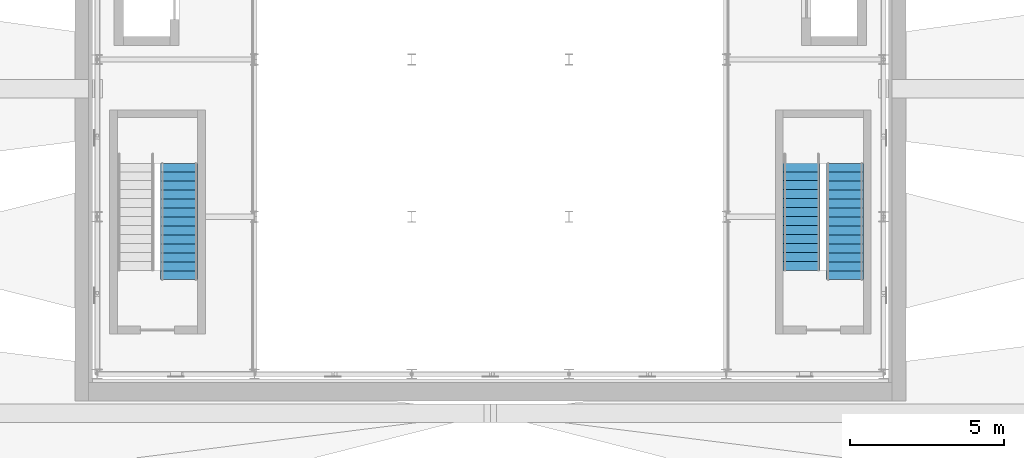
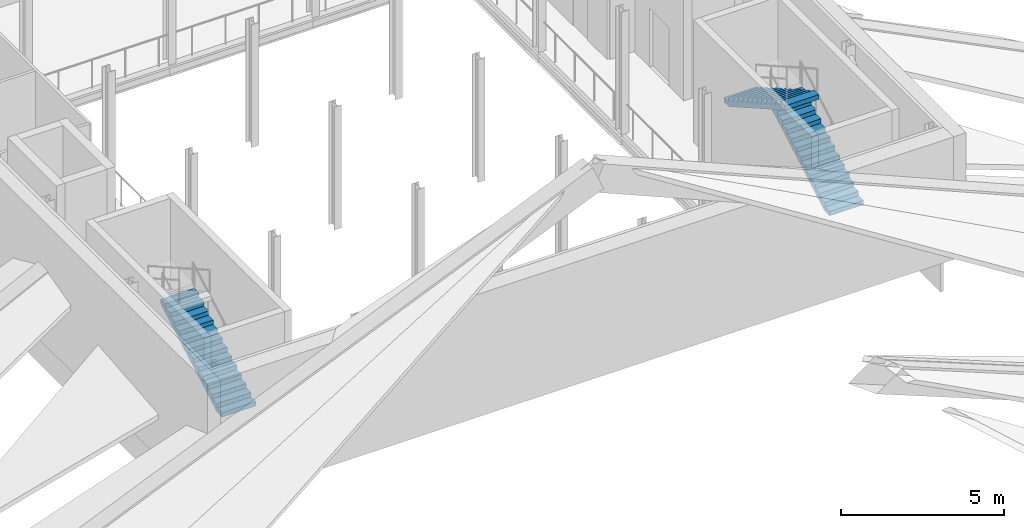
# One storey, part 6 of 7: 3 stair flights, 2 elements without a shape of their own.
"""IFC4 building model written with IfcOpenShell, lengths in metres."""

from ifc_helpers import new_model, si_unit, direction, frame, origin, place, context, subcontext, project, spatial, polyline, outline, extrude, material, type_object, element, aggregate, save


model = new_model("IFC4")

# Units and contexts
model_context = context("Model", 3, precision=1e-05, world=origin(), true_north=direction((0.0, 1.0)))
body_context = subcontext(model_context, "Body", "Model", "MODEL_VIEW")
ifc_project = project(units=[si_unit("LENGTHUNIT", "METRE"), si_unit("AREAUNIT", "SQUARE_METRE"), si_unit("VOLUMEUNIT", "CUBIC_METRE"), si_unit("PLANEANGLEUNIT", "RADIAN"), si_unit("MASSUNIT", "GRAM", prefix="KILO")], contexts=[model_context])

# Site, building, storey
site_placement = place(None, origin())
site = spatial("IfcSite", under=ifc_project, at=site_placement, CompositionType="ELEMENT")
building_placement = place(site_placement, origin())
building = spatial("IfcBuilding", under=site, at=building_placement, Name="Tide Square Theatres", CompositionType="ELEMENT")
storey_placement = place(building_placement, frame((0.0, 0.0, 19.39990234375)))
storey = spatial("IfcBuildingStorey", under=building, at=storey_placement, Name="L04", CompositionType="ELEMENT", Elevation=19.39990234375)

# Stair, stair flight
ifc_material_1 = material(Name="Concrete C35", Category="concrete")
stair_type = type_object("IfcStairType", Name="Stair half turn 1200 wide, 28 risers, rise 4600", PredefinedType="HALF_TURN_STAIR", material=ifc_material_1)
stair_1_placement = place(storey_placement, origin())
stair_1 = element("IfcStair", 1, at=stair_1_placement, inside=storey, type_object=stair_type, Name="Fly Tower west stair", PredefinedType="HALF_TURN_STAIR")
ifc_material_2 = material(Name="Concrete C35", Category="concrete")
stair_flight_type = type_object("IfcStairFlightType", Name="Flight 1200 wide 14 risers rise 4600", PredefinedType="STRAIGHT", material=ifc_material_2)
stair_flight_1_placement = place(storey_placement, frame((73.926025390625, 59.325927734375, 0.0), z_axis=(0.0, 0.0, 1.0), x_axis=(0.0, 1.0, 0.0)))
stair_flight_1 = element("IfcStairFlight", 2, at=stair_flight_1_placement, type_object=stair_flight_type, Name="ST-1200-4600 flight 1", NumberOfRisers=14, NumberOfTreads=13, PredefinedType="STRAIGHT", RiserHeight=0.164285714, TreadLength=0.29, context=body_context, shape_type="SweptSolid", body=[
    extrude(outline(polyline([(0.0, 0.0), (0.0, 0.164306640625), (0.2900390625, 0.164306640625), (0.2900390625, 0.32861328125), (0.580078125, 0.32861328125), (0.580078125, 0.492919921875), (0.8701171875, 0.492919921875), (0.8701171875, 0.6572265625), (1.159912109375, 0.6572265625), (1.159912109375, 0.821533203125), (1.449951171875, 0.821533203125), (1.449951171875, 0.985595703125), (1.739990234375, 0.985595703125), (1.739990234375, 1.14990234375), (2.030029296875, 1.14990234375), (2.030029296875, 1.314208984375), (2.320068359375, 1.314208984375), (2.320068359375, 1.478515625), (2.610107421875, 1.478515625), (2.610107421875, 1.642822265625), (2.89990234375, 1.642822265625), (2.89990234375, 1.80712890625), (3.18994140625, 1.80712890625), (3.18994140625, 1.971435546875), (3.47998046875, 1.971435546875), (3.47998046875, 2.1357421875), (3.77001953125, 2.1357421875), (3.77001953125, 2.300048828125), (3.77001953125, 1.96337890625), (0.30419921875, 0.0), (0.0, 0.0)])), frame((0.0, 0.60009765625, 0.0), z_axis=(0.0, -1.0, 0.0), x_axis=(1.0, 0.0, 0.0)), (0.0, 0.0, 1.0), 1.199951171875),
])
aggregate(stair_1, [stair_flight_1])

# Stair, stair flights
stair_2_placement = place(storey_placement, origin())
stair_2 = element("IfcStair", 3, at=stair_2_placement, inside=storey, type_object=stair_type, Name="Fly Tower east stair", PredefinedType="HALF_TURN_STAIR")
stair_flight_2_placement = place(storey_placement, frame((95.47412109375, 59.325927734375, 0.0), z_axis=(0.0, 0.0, 1.0), x_axis=(0.0, 1.0, 0.0)))
stair_flight_2 = element("IfcStairFlight", 4, at=stair_flight_2_placement, type_object=stair_flight_type, Name="ST-1200-4600 flight 1", NumberOfRisers=14, NumberOfTreads=13, PredefinedType="STRAIGHT", RiserHeight=0.164285714, TreadLength=0.29, context=body_context, shape_type="SweptSolid", body=[
    extrude(outline(polyline([(0.0, 0.0), (0.0, 0.164306640625), (0.2900390625, 0.164306640625), (0.2900390625, 0.32861328125), (0.580078125, 0.32861328125), (0.580078125, 0.492919921875), (0.8701171875, 0.492919921875), (0.8701171875, 0.6572265625), (1.159912109375, 0.6572265625), (1.159912109375, 0.821533203125), (1.449951171875, 0.821533203125), (1.449951171875, 0.985595703125), (1.739990234375, 0.985595703125), (1.739990234375, 1.14990234375), (2.030029296875, 1.14990234375), (2.030029296875, 1.314208984375), (2.320068359375, 1.314208984375), (2.320068359375, 1.478515625), (2.610107421875, 1.478515625), (2.610107421875, 1.642822265625), (2.89990234375, 1.642822265625), (2.89990234375, 1.80712890625), (3.18994140625, 1.80712890625), (3.18994140625, 1.971435546875), (3.47998046875, 1.971435546875), (3.47998046875, 2.1357421875), (3.77001953125, 2.1357421875), (3.77001953125, 2.300048828125), (3.77001953125, 1.96337890625), (0.30419921875, 0.0), (0.0, 0.0)])), frame((0.0, 0.60009765625, 0.0), z_axis=(0.0, -1.0, 0.0), x_axis=(1.0, 0.0, 0.0)), (0.0, 0.0, 1.0), 1.199951171875),
])
stair_flight_3_placement = place(storey_placement, frame((94.073974609375, 63.400390625, 2.300048828125), z_axis=(0.0, 0.0, 1.0), x_axis=(0.0, -1.0, 0.0)))
stair_flight_3 = element("IfcStairFlight", 5, at=stair_flight_3_placement, type_object=stair_flight_type, Name="ST-1200-4600 flight 2", NumberOfRisers=14, NumberOfTreads=13, PredefinedType="STRAIGHT", RiserHeight=0.164285714, TreadLength=0.29, context=body_context, shape_type="SweptSolid", body=[
    extrude(outline(polyline([(0.0, 0.0), (0.0, 0.164306640625), (0.2900390625, 0.164306640625), (0.2900390625, 0.32861328125), (0.580078125, 0.32861328125), (0.580078125, 0.492919921875), (0.8701171875, 0.492919921875), (0.8701171875, 0.6572265625), (1.159912109375, 0.6572265625), (1.159912109375, 0.821533203125), (1.449951171875, 0.821533203125), (1.449951171875, 0.985595703125), (1.739990234375, 0.985595703125), (1.739990234375, 1.14990234375), (2.030029296875, 1.14990234375), (2.030029296875, 1.314208984375), (2.320068359375, 1.314208984375), (2.320068359375, 1.478515625), (2.610107421875, 1.478515625), (2.610107421875, 1.642822265625), (2.89990234375, 1.642822265625), (2.89990234375, 1.80712890625), (3.18994140625, 1.80712890625), (3.18994140625, 1.971435546875), (3.47998046875, 1.971435546875), (3.47998046875, 2.1357421875), (3.77001953125, 2.1357421875), (3.77001953125, 2.300048828125), (3.77001953125, 1.96337890625), (0.30419921875, 0.0), (0.0, 0.0)])), frame((0.0, 0.60009765625, 0.0), z_axis=(0.0, -1.0, 0.0), x_axis=(1.0, 0.0, 0.0)), (0.0, 0.0, 1.0), 1.199951171875),
])
aggregate(stair_2, [stair_flight_2, stair_flight_3])

save(model, "model.ifc")
